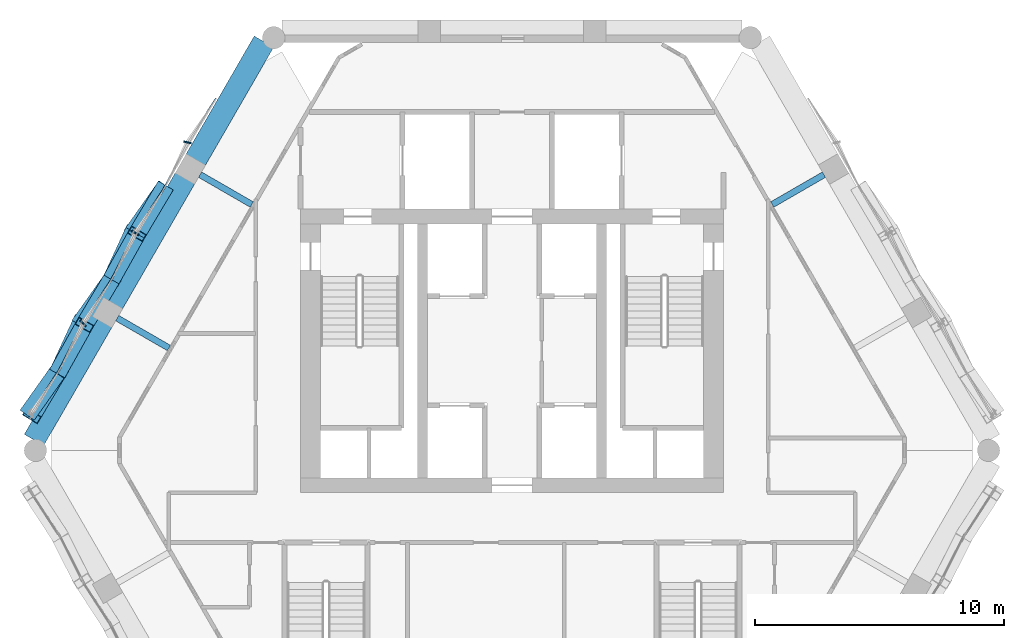
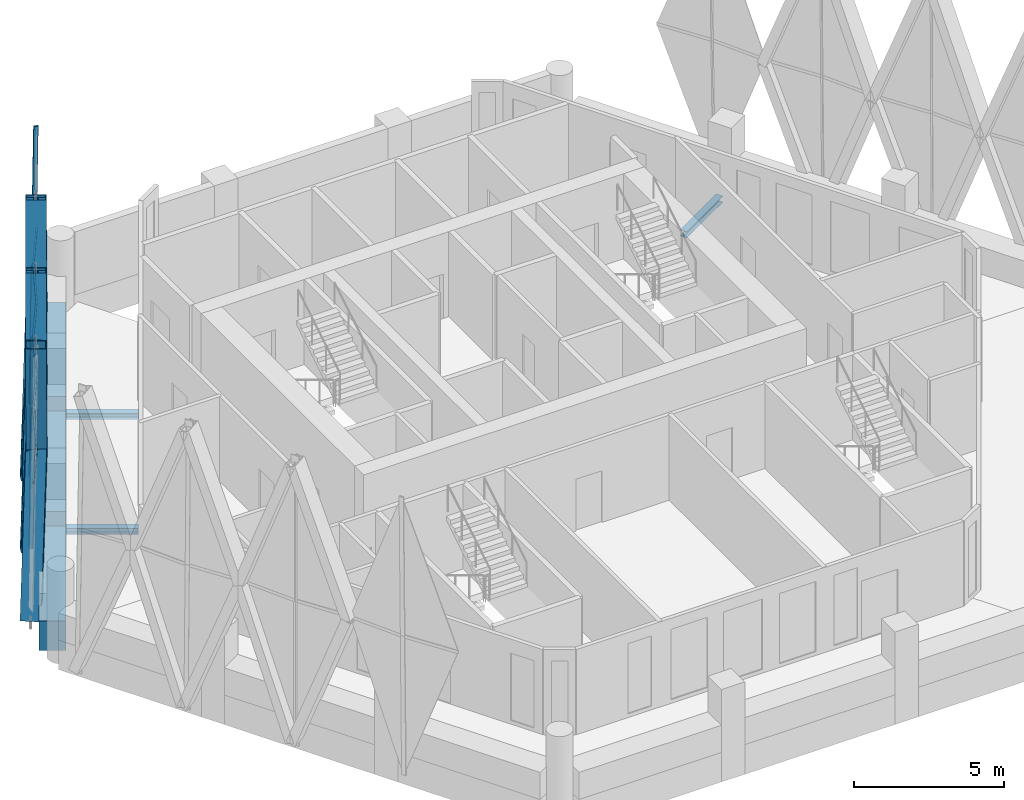
# One storey, part 5 of 18: 23 members, 6 beams, 2 elements without a shape of their own.
"""IFC4 building model written with IfcOpenShell, lengths in metres."""

from ifc_helpers import new_model, si_unit, direction, frame, origin, origin_2d, place, context, subcontext, project, spatial, rectangle, hollow_rectangle, i_section, extrude, material, material_profile, profile_set, type_object, element, aggregate, save


model = new_model("IFC4")

# Units and contexts
model_context = context("Model", 3, precision=1e-05, world=origin(), true_north=direction((0.0, 1.0)))
body_context = subcontext(model_context, "Body", "Model", "MODEL_VIEW")
ifc_project = project(units=[si_unit("LENGTHUNIT", "METRE"), si_unit("AREAUNIT", "SQUARE_METRE"), si_unit("VOLUMEUNIT", "CUBIC_METRE"), si_unit("PLANEANGLEUNIT", "RADIAN"), si_unit("MASSUNIT", "GRAM", prefix="KILO")], contexts=[model_context])

# Site, building, storey
site_placement = place(None, origin())
site = spatial("IfcSite", under=ifc_project, at=site_placement, CompositionType="ELEMENT")
building_placement = place(site_placement, origin())
building = spatial("IfcBuilding", under=site, at=building_placement, Name="Ostrander Bayou Hotel Tower", CompositionType="ELEMENT")
storey_placement = place(building_placement, frame((0.0, 0.0, 214.5)))
storey = spatial("IfcBuildingStorey", under=building, at=storey_placement, Name="L53", CompositionType="ELEMENT", Elevation=214.5)

# Curtain wall, members
ifc_material_1 = material(Name="Aluminium and clear glass", Category="aluminium")
curtain_wall_type = type_object("IfcCurtainWallType", Name="CW-LAT lattice glazing", PredefinedType="NOTDEFINED", material=ifc_material_1)
curtain_wall_1_placement = place(storey_placement, origin())
curtain_wall_1 = element("IfcCurtainWall", 1, at=curtain_wall_1_placement, inside=storey, type_object=curtain_wall_type, Name="CW-LAT L53 NW 1", PredefinedType="NOTDEFINED")
ifc_material_2 = material(Name="Aluminium", Category="aluminium")
ifc_material_profile_1 = material_profile(ifc_material_2, hollow_rectangle(XDim=0.06005859375, YDim=0.159912109375, WallThickness=0.00390625, at=origin_2d()))
ifc_profile_set_1 = profile_set([ifc_material_profile_1], Name="Aluminium")
member_type_1 = type_object("IfcMemberType", Name="CW-LA mullion 60 x 160 mm", PredefinedType="MULLION", material=ifc_profile_set_1)
member_1_placement = place(storey_placement, frame((-13.1279296875, 12.401611328125, -0.60009765625), z_axis=(0.014668465382, -0.003602019606, 0.999885924282), x_axis=(0.238477195532, 0.971148097466, 0.0)))
member_1 = element("IfcMember", 2, at=member_1_placement, type_object=member_type_1, Name="CW-LAT mullion 1", PredefinedType="MULLION", context=body_context, shape_type="SweptSolid", body=[
    extrude(hollow_rectangle(XDim=0.06005859375, YDim=0.159912109375, WallThickness=0.00390625, at=origin_2d()), origin(), (0.0, 0.0, 1.0), 5.625732421875),
])
member_2_placement = place(storey_placement, frame((-13.04541015625, 12.38134765625, 5.02490234375), z_axis=(0.014711851516, -0.003645414535, 0.999885129591), x_axis=(0.24051397288, 0.970645676264, 0.0)))
member_2 = element("IfcMember", 3, at=member_2_placement, type_object=member_type_1, Name="CW-LAT mullion 2", PredefinedType="MULLION", context=body_context, shape_type="SweptSolid", body=[
    extrude(hollow_rectangle(XDim=0.06005859375, YDim=0.159912109375, WallThickness=0.00390625, at=origin_2d()), origin(), (0.0, 0.0, 1.0), 5.625732421875),
])
member_3_placement = place(storey_placement, frame((-15.216064453125, 8.784912109375, -0.60009765625), z_axis=(0.012585478078, -0.007247499445, 0.999894534185), x_axis=(0.499032451057, 0.866583298242, 0.0)))
member_3 = element("IfcMember", 4, at=member_3_placement, type_object=member_type_1, Name="CW-LAT mullion 5", PredefinedType="MULLION", context=body_context, shape_type="SweptSolid", body=[
    extrude(hollow_rectangle(XDim=0.06005859375, YDim=0.159912109375, WallThickness=0.00390625, at=origin_2d()), origin(), (0.0, 0.0, 1.0), 5.62548828125),
])
member_4_placement = place(storey_placement, frame((-15.145263671875, 8.744140625, 5.02490234375), z_axis=(0.012628865384, -0.007290891356, 0.999893671678), x_axis=(0.499980071345, 0.866036909293, 0.0)))
member_4 = element("IfcMember", 5, at=member_4_placement, type_object=member_type_1, Name="CW-LAT mullion 6", PredefinedType="MULLION", context=body_context, shape_type="SweptSolid", body=[
    extrude(hollow_rectangle(XDim=0.06005859375, YDim=0.159912109375, WallThickness=0.00390625, at=origin_2d()), origin(), (0.0, 0.0, 1.0), 5.62548828125),
])
member_5_placement = place(storey_placement, frame((-17.30419921875, 5.168212890625, -0.60009765625), z_axis=(0.010502269759, -0.010892850039, 0.999885517521), x_axis=(0.719895475853, 0.694082490664, 0.0)))
member_5 = element("IfcMember", 6, at=member_5_placement, type_object=member_type_1, Name="CW-LAT mullion 9", PredefinedType="MULLION", context=body_context, shape_type="SweptSolid", body=[
    extrude(hollow_rectangle(XDim=0.06005859375, YDim=0.159912109375, WallThickness=0.00390625, at=origin_2d()), origin(), (0.0, 0.0, 1.0), 5.625732421875),
])
member_6_placement = place(storey_placement, frame((-17.2451171875, 5.10693359375, 5.02490234375), z_axis=(0.010502264784, -0.010936242668, 0.999885043908), x_axis=(0.721272918752, 0.692650977531, 0.0)))
member_6 = element("IfcMember", 7, at=member_6_placement, type_object=member_type_1, Name="CW-LAT mullion 10", PredefinedType="MULLION", context=body_context, shape_type="SweptSolid", body=[
    extrude(hollow_rectangle(XDim=0.06005859375, YDim=0.159912109375, WallThickness=0.00390625, at=origin_2d()), origin(), (0.0, 0.0, 1.0), 5.625732421875),
])
aggregate(curtain_wall_1, [member_1, member_2, member_3, member_4, member_5, member_6])

curtain_wall_2_placement = place(storey_placement, origin())
curtain_wall_2 = element("IfcCurtainWall", 8, at=curtain_wall_2_placement, inside=storey, type_object=curtain_wall_type, Name="CW-LAT L53 NW 2", PredefinedType="NOTDEFINED")
ifc_material_3 = material(Name="Aluminium", Category="aluminium")
ifc_material_profile_2 = material_profile(ifc_material_3, hollow_rectangle(XDim=0.06005859375, YDim=0.1201171875, WallThickness=0.00390625, at=origin_2d()))
ifc_profile_set_2 = profile_set([ifc_material_profile_2], Name="Aluminium")
member_type_2 = type_object("IfcMemberType", Name="CW-LA transom 60 x 120 mm", PredefinedType="USERDEFINED", material=ifc_profile_set_2)
member_7_placement = place(storey_placement, frame((-13.04541015625, 12.38134765625, 5.02490234375), z_axis=(0.544478173175, 0.838775010915, 0.0), x_axis=(-0.838775010915, 0.544478173175, 0.0)))
member_7 = element("IfcMember", 9, at=member_7_placement, type_object=member_type_2, Name="CW-LAT transom 3", ObjectType="TRANSOM", PredefinedType="USERDEFINED", context=body_context, shape_type="SweptSolid", body=[
    extrude(hollow_rectangle(XDim=0.06005859375, YDim=0.1201171875, WallThickness=0.00390625, at=origin_2d()), origin(), (0.0, 0.0, 1.0), 2.10302734375),
])
member_8_placement = place(storey_placement, frame((-13.04541015625, 12.38134765625, 5.02490234375), z_axis=(-0.454212745027, -0.89089324964, 0.0), x_axis=(0.89089324964, -0.454212745027, 0.0)))
member_8 = element("IfcMember", 10, at=member_8_placement, type_object=member_type_2, Name="CW-LAT transom 4", ObjectType="TRANSOM", PredefinedType="USERDEFINED", context=body_context, shape_type="SweptSolid", body=[
    extrude(hollow_rectangle(XDim=0.06005859375, YDim=0.1201171875, WallThickness=0.00390625, at=origin_2d()), origin(), (0.0, 0.0, 1.0), 2.102783203125),
])
member_9_placement = place(storey_placement, frame((-15.145263671875, 8.744140625, 5.02490234375), z_axis=(0.544396488653, 0.83882802954, 0.0), x_axis=(-0.83882802954, 0.544396488653, 0.0)))
member_9 = element("IfcMember", 11, at=member_9_placement, type_object=member_type_2, Name="CW-LAT transom 7", ObjectType="TRANSOM", PredefinedType="USERDEFINED", context=body_context, shape_type="SweptSolid", body=[
    extrude(hollow_rectangle(XDim=0.06005859375, YDim=0.1201171875, WallThickness=0.00390625, at=origin_2d()), origin(), (0.0, 0.0, 1.0), 2.102783203125),
])
member_10_placement = place(storey_placement, frame((-15.145263671875, 8.744140625, 5.02490234375), z_axis=(-0.454212745027, -0.89089324964, 0.0), x_axis=(0.89089324964, -0.454212745027, 0.0)))
member_10 = element("IfcMember", 12, at=member_10_placement, type_object=member_type_2, Name="CW-LAT transom 8", ObjectType="TRANSOM", PredefinedType="USERDEFINED", context=body_context, shape_type="SweptSolid", body=[
    extrude(hollow_rectangle(XDim=0.06005859375, YDim=0.1201171875, WallThickness=0.00390625, at=origin_2d()), origin(), (0.0, 0.0, 1.0), 2.102783203125),
])
member_11_placement = place(storey_placement, frame((-17.2451171875, 5.10693359375, 5.02490234375), z_axis=(0.544396488653, 0.83882802954, 0.0), x_axis=(-0.83882802954, 0.544396488653, 0.0)))
member_11 = element("IfcMember", 13, at=member_11_placement, type_object=member_type_2, Name="CW-LAT transom 11", ObjectType="TRANSOM", PredefinedType="USERDEFINED", context=body_context, shape_type="SweptSolid", body=[
    extrude(hollow_rectangle(XDim=0.06005859375, YDim=0.1201171875, WallThickness=0.00390625, at=origin_2d()), origin(), (0.0, 0.0, 1.0), 2.102783203125),
])
member_12_placement = place(storey_placement, frame((-17.2451171875, 5.10693359375, 5.02490234375), z_axis=(-0.454212745027, -0.89089324964, 0.0), x_axis=(0.89089324964, -0.454212745027, 0.0)))
member_12 = element("IfcMember", 14, at=member_12_placement, type_object=member_type_2, Name="CW-LAT transom 12", ObjectType="TRANSOM", PredefinedType="USERDEFINED", context=body_context, shape_type="SweptSolid", body=[
    extrude(hollow_rectangle(XDim=0.06005859375, YDim=0.1201171875, WallThickness=0.00390625, at=origin_2d()), origin(), (0.0, 0.0, 1.0), 2.102783203125),
])
member_13_placement = place(storey_placement, frame((-19.34521484375, 1.4697265625, 5.02490234375), z_axis=(0.544478173175, 0.838775010915, 0.0), x_axis=(-0.838775010915, 0.544478173175, 0.0)))
member_13 = element("IfcMember", 15, at=member_13_placement, type_object=member_type_2, Name="CW-LAT transom 15", ObjectType="TRANSOM", PredefinedType="USERDEFINED", context=body_context, shape_type="SweptSolid", body=[
    extrude(hollow_rectangle(XDim=0.06005859375, YDim=0.1201171875, WallThickness=0.00390625, at=origin_2d()), origin(), (0.0, 0.0, 1.0), 2.10302734375),
])
aggregate(curtain_wall_2, [member_7, member_8, member_9, member_10, member_11, member_12, member_13])

# Beams
ifc_material_4 = material(Name="Steel ASTM A992", Category="steel")
ifc_material_profile_3 = material_profile(ifc_material_4, i_section(OverallWidth=0.25390625, OverallDepth=0.25341796875, WebThickness=0.008544921875, FlangeThickness=0.01416015625, at=origin_2d()))
ifc_profile_set_3 = profile_set([ifc_material_profile_3], Name="Steel ASTM A992")
beam_type_1 = type_object("IfcBeamType", Name="LB2 loggia bracket W10x49", PredefinedType="BEAM", material=ifc_profile_set_3)
for number, where, z_axis, x_axis, name in (
    (16, (-12.5380859375, 11.083251953125, -0.4267578125), (0.866024647952, -0.500001309137, 0.0), (0.500001309137, 0.866024647952, 0.0), "LB2 L53 NW1"),
    (17, (-15.867431640625, 5.316650390625, -0.4267578125), (0.866024647952, -0.500001309137, 0.0), (0.500001309137, 0.866024647952, 0.0), "LB2 L53 NW2"),
    (18, (12.5380859375, 11.083251953125, -0.4267578125), (-0.866024647952, -0.500001309137, 0.0), (0.500001309137, -0.866024647952, 0.0), "LB2 L53 NE2"),
):
    element("IfcBeam", number, at=place(storey_placement, frame(where, z_axis=z_axis, x_axis=x_axis)), inside=storey, type_object=beam_type_1, Name=name, PredefinedType="BEAM", context=body_context, shape_type="SweptSolid", body=[
        extrude(i_section(OverallWidth=0.25390625, OverallDepth=0.25341796875, WebThickness=0.008544921875, FlangeThickness=0.01416015625, at=origin_2d()), origin(), (0.0, 0.0, 1.0), 2.39990234375),
    ])

# Members
ifc_material_5 = material(Name="Steel ASTM A572 Gr 50", Category="steel")
ifc_material_profile_4 = material_profile(ifc_material_5, hollow_rectangle(XDim=0.699951171875, YDim=0.35009765625, WallThickness=0.02490234375, at=origin_2d()))
ifc_profile_set_4 = profile_set([ifc_material_profile_4], Name="Steel ASTM A572 Gr 50")
member_type_3 = type_object("IfcMemberType", Name="LT1 lattice member box 700 x 350 x 25 mm", PredefinedType="BRACE", material=ifc_profile_set_4)
member_14_placement = place(storey_placement, frame((-14.00048828125, 10.508056640625, 5.02490234375), z_axis=(-0.202350329175, -0.286842463008, -0.936363041613), x_axis=(0.817137880201, -0.57644226488, 0.0)))
element("IfcMember", 19, at=member_14_placement, inside=storey, type_object=member_type_3, Name="LT1 L53 NW 1", PredefinedType="BRACE", context=body_context, shape_type="SweptSolid", body=[
    extrude(hollow_rectangle(XDim=0.699951171875, YDim=0.35009765625, WallThickness=0.02490234375, at=origin_2d()), origin(), (0.0, 0.0, 1.0), 6.00732421875),
])
member_15_placement = place(storey_placement, frame((-14.00048828125, 10.508056640625, 5.02490234375), z_axis=(-0.178827707881, -0.300607831825, 0.936832739788), x_axis=(0.859425453806, -0.511261077484, 0.0)))
element("IfcMember", 20, at=member_15_placement, inside=storey, type_object=member_type_3, Name="LT1 L53 NW 2", PredefinedType="BRACE", context=body_context, shape_type="SweptSolid", body=[
    extrude(hollow_rectangle(XDim=0.699951171875, YDim=0.35009765625, WallThickness=0.02490234375, at=origin_2d()), origin(), (0.0, 0.0, 1.0), 6.00439453125),
])
member_16_placement = place(storey_placement, frame((-16.100341796875, 6.870849609375, 5.02490234375), z_axis=(0.147203413834, 0.31862914535, -0.936379529192), x_axis=(-0.907803427107, 0.419395920023, 0.0)))
element("IfcMember", 21, at=member_16_placement, inside=storey, type_object=member_type_3, Name="LT1 L53 NW 3", PredefinedType="BRACE", context=body_context, shape_type="SweptSolid", body=[
    extrude(hollow_rectangle(XDim=0.699951171875, YDim=0.35009765625, WallThickness=0.02490234375, at=origin_2d()), origin(), (0.0, 0.0, 1.0), 6.007080078125),
])
member_17_placement = place(storey_placement, frame((-16.100341796875, 6.870849609375, 5.02490234375), z_axis=(0.170900002624, 0.305164054173, 0.936839414811), x_axis=(-0.872496103624, 0.488621069092, 0.0)))
element("IfcMember", 22, at=member_17_placement, inside=storey, type_object=member_type_3, Name="LT1 L53 NW 4", PredefinedType="BRACE", context=body_context, shape_type="SweptSolid", body=[
    extrude(hollow_rectangle(XDim=0.699951171875, YDim=0.35009765625, WallThickness=0.02490234375, at=origin_2d()), origin(), (0.0, 0.0, 1.0), 6.004150390625),
])
member_18_placement = place(storey_placement, frame((-16.100341796875, 6.870849609375, 5.02490234375), z_axis=(-0.200673928315, -0.283816665194, -0.937644962154), x_axis=(0.816516598165, -0.5773219595, 0.0)))
element("IfcMember", 23, at=member_18_placement, inside=storey, type_object=member_type_3, Name="LT1 L53 NW 5", PredefinedType="BRACE", context=body_context, shape_type="SweptSolid", body=[
    extrude(hollow_rectangle(XDim=0.699951171875, YDim=0.35009765625, WallThickness=0.02490234375, at=origin_2d()), origin(), (0.0, 0.0, 1.0), 5.9990234375),
])
member_19_placement = place(storey_placement, frame((-16.100341796875, 6.870849609375, 5.02490234375), z_axis=(-0.180569133683, -0.30360139702, 0.935532457849), x_axis=(0.859474468099, -0.511178675891, 0.0)))
element("IfcMember", 24, at=member_19_placement, inside=storey, type_object=member_type_3, Name="LT1 L53 NW 6", PredefinedType="BRACE", context=body_context, shape_type="SweptSolid", body=[
    extrude(hollow_rectangle(XDim=0.699951171875, YDim=0.35009765625, WallThickness=0.02490234375, at=origin_2d()), origin(), (0.0, 0.0, 1.0), 6.0126953125),
])
member_20_placement = place(storey_placement, frame((-18.2001953125, 3.233642578125, 5.02490234375), z_axis=(0.148948402298, 0.321598675697, -0.935087517424), x_axis=(-0.907402217941, 0.420263268531, 0.0)))
element("IfcMember", 25, at=member_20_placement, inside=storey, type_object=member_type_3, Name="LT1 L53 NW 7", PredefinedType="BRACE", context=body_context, shape_type="SweptSolid", body=[
    extrude(hollow_rectangle(XDim=0.699951171875, YDim=0.35009765625, WallThickness=0.02490234375, at=origin_2d()), origin(), (0.0, 0.0, 1.0), 6.015380859375),
])
member_21_placement = place(storey_placement, frame((-18.2001953125, 3.233642578125, 5.02490234375), z_axis=(0.169140318983, 0.302164253051, 0.938130223728), x_axis=(-0.872594225871, 0.488445817851, 0.0)))
element("IfcMember", 26, at=member_21_placement, inside=storey, type_object=member_type_3, Name="LT1 L53 NW 8", PredefinedType="BRACE", context=body_context, shape_type="SweptSolid", body=[
    extrude(hollow_rectangle(XDim=0.699951171875, YDim=0.35009765625, WallThickness=0.02490234375, at=origin_2d()), origin(), (0.0, 0.0, 1.0), 5.995849609375),
])
member_22_placement = place(storey_placement, frame((-18.2001953125, 3.233642578125, 5.02490234375), z_axis=(-0.19899021183, -0.280778734284, -0.938917567186), x_axis=(0.815880167197, -0.578221024154, 0.0)))
element("IfcMember", 27, at=member_22_placement, inside=storey, type_object=member_type_3, Name="LT1 L53 NW 9", PredefinedType="BRACE", context=body_context, shape_type="SweptSolid", body=[
    extrude(hollow_rectangle(XDim=0.699951171875, YDim=0.35009765625, WallThickness=0.02490234375, at=origin_2d()), origin(), (0.0, 0.0, 1.0), 5.990966796875),
])
member_23_placement = place(storey_placement, frame((-18.2001953125, 3.233642578125, 5.02490234375), z_axis=(-0.182305513905, -0.306545748471, 0.934234662006), x_axis=(0.859492691527, -0.511148034538, 0.0)))
element("IfcMember", 28, at=member_23_placement, inside=storey, type_object=member_type_3, Name="LT1 L53 NW 10", PredefinedType="BRACE", context=body_context, shape_type="SweptSolid", body=[
    extrude(hollow_rectangle(XDim=0.699951171875, YDim=0.35009765625, WallThickness=0.02490234375, at=origin_2d()), origin(), (0.0, 0.0, 1.0), 6.02099609375),
])

# Beams
ifc_material_6 = material(Name="Concrete f'c 60 MPa", Category="concrete")
ifc_material_profile_5 = material_profile(ifc_material_6, rectangle(XDim=0.89990234375, YDim=1.199951171875, at=origin_2d()))
ifc_profile_set_5 = profile_set([ifc_material_profile_5], Name="Concrete f'c 60 MPa")
beam_type_2 = type_object("IfcBeamType", Name="SP4 spandrel beam 900 x 1200 mm f'c 60 MPa", PredefinedType="SPANDREL", material=ifc_profile_set_5)
beam_1_placement = place(storey_placement, frame((-9.971923828125, 16.427978515625, -0.60009765625), z_axis=(-0.50000722722, -0.866021231107, 0.0), x_axis=(0.866021231107, -0.50000722722, 0.0)))
element("IfcBeam", 29, at=beam_1_placement, inside=storey, type_object=beam_type_2, Name="SP4 L53 NW-1", PredefinedType="SPANDREL", context=body_context, shape_type="SweptSolid", body=[
    extrude(rectangle(XDim=0.89990234375, YDim=1.199951171875, at=origin_2d()), origin(), (0.0, 0.0, 1.0), 5.49169921875),
])
beam_2_placement = place(storey_placement, frame((-13.1376953125, 10.944580078125, -0.60009765625), z_axis=(-0.500015433515, -0.866016493057, 0.0), x_axis=(0.866016493057, -0.500015433515, 0.0)))
element("IfcBeam", 30, at=beam_2_placement, inside=storey, type_object=beam_type_2, Name="SP4 L53 NW-2", PredefinedType="SPANDREL", context=body_context, shape_type="SweptSolid", body=[
    extrude(rectangle(XDim=0.89990234375, YDim=1.199951171875, at=origin_2d()), origin(), (0.0, 0.0, 1.0), 5.818603515625),
])
beam_3_placement = place(storey_placement, frame((-16.46728515625, 5.177978515625, -0.60009765625), z_axis=(-0.50000722722, -0.866021231107, 0.0), x_axis=(0.866021231107, -0.50000722722, 0.0)))
element("IfcBeam", 31, at=beam_3_placement, inside=storey, type_object=beam_type_2, Name="SP4 L53 NW-3", PredefinedType="SPANDREL", context=body_context, shape_type="SweptSolid", body=[
    extrude(rectangle(XDim=0.89990234375, YDim=1.199951171875, at=origin_2d()), origin(), (0.0, 0.0, 1.0), 5.49169921875),
])

save(model, "model.ifc")
